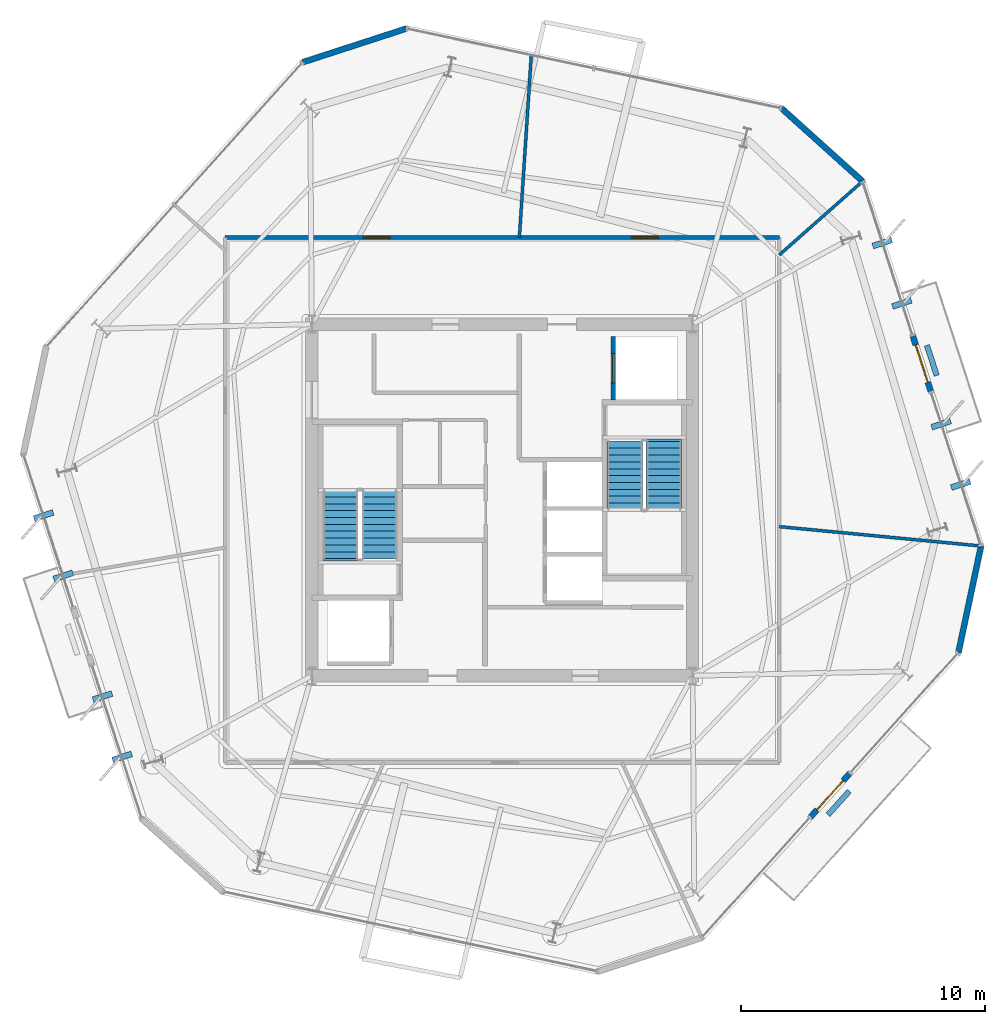
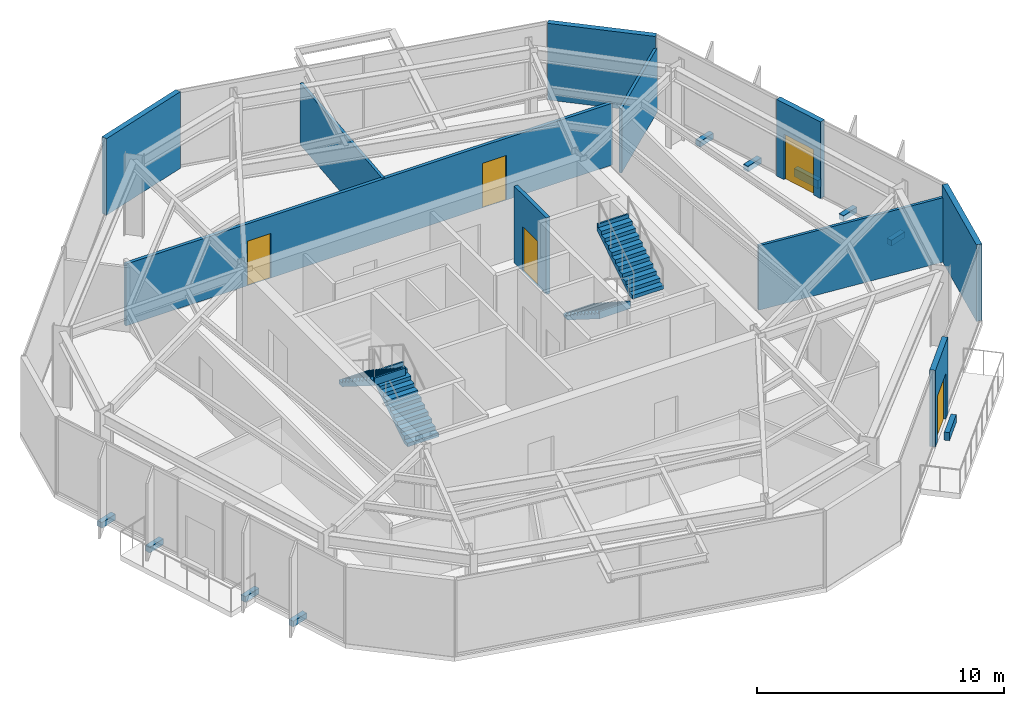
# One storey, part 8 of 11: 12 walls, 8 discrete accessories, 5 doors, 4 stair flights, 5 openings, 2 elements without a shape of their own.
"""IFC4 building model written with IfcOpenShell, lengths in metres."""

from ifc_helpers import new_model, si_unit, direction, frame, frame_2d, origin, origin_2d, place, context, subcontext, project, spatial, polyline, rectangle, outline, extrude, material, layer, layer_set, type_object, element, fill, aggregate, save


model = new_model("IFC4")

# Units and contexts
model_context = context("Model", 3, precision=1e-05, world=origin(), true_north=direction((0.0, 1.0)))
body_context = subcontext(model_context, "Body", "Model", "MODEL_VIEW")
ifc_project = project(units=[si_unit("LENGTHUNIT", "METRE"), si_unit("AREAUNIT", "SQUARE_METRE"), si_unit("VOLUMEUNIT", "CUBIC_METRE"), si_unit("PLANEANGLEUNIT", "RADIAN"), si_unit("MASSUNIT", "GRAM", prefix="KILO")], contexts=[model_context])

# Site, building, storey
site_placement = place(None, origin())
site = spatial("IfcSite", under=ifc_project, at=site_placement, CompositionType="ELEMENT")
building_placement = place(site_placement, origin())
building = spatial("IfcBuilding", under=site, at=building_placement, Name="Kranzbogen Civic Tower", CompositionType="ELEMENT")
storey_placement = place(building_placement, frame((0.0, 0.0, 216.800048828125)))
storey = spatial("IfcBuildingStorey", under=building, at=storey_placement, Name="L52", CompositionType="ELEMENT", Elevation=216.800048828125)

# Wall, openings, doors
ifc_material_1 = material(Name="Double-Stud Acoustic Gypsum Partition")
ifc_layer_1 = layer(ifc_material_1, 0.14990234375, Name="Double-Stud Acoustic Gypsum Partition")
ifc_layer_set_1 = layer_set([ifc_layer_1], Name="Double-Stud Acoustic Gypsum Partition")
wall_type_1 = type_object("IfcWallType", Name="Acoustic Corridor and Clinical Partition 150 mm", PredefinedType="PARTITIONING", material=ifc_layer_set_1)
wall_1_placement = place(storey_placement, frame((13.64990234375, 35.75, 0.0), z_axis=(0.0, 0.0, 1.0), x_axis=(1.0, 0.0, 0.0)))
wall_1 = element("IfcWall", 1, at=wall_1_placement, inside=storey, type_object=wall_type_1, Name="L52 corridor partition 01", PredefinedType="PARTITIONING", context=body_context, shape_type="SweptSolid", body=[
    extrude(rectangle(XDim=22.7001953125, YDim=0.14990234375, at=frame_2d((11.35009765625, 0.0))), origin(), (0.0, 0.0, 1.0), 3.050048828125),
])
opening_1_placement = place(wall_1_placement, frame((16.64501953125, 0.0, 0.0)))
opening_1 = element("IfcOpeningElement", 2, at=opening_1_placement, cuts=wall_1, Name="Opening D-COR60", PredefinedType="OPENING", context=body_context, shape_type="SweptSolid", body=[
    extrude(rectangle(XDim=1.10009765625, YDim=2.199951171875, at=frame_2d((0.550048828125, 1.10009765625))), frame((0.0, 0.0849609375, 0.0), z_axis=(0.0, -1.0, 0.0), x_axis=(1.0, 0.0, 0.0)), (0.0, 0.0, 1.0), 0.169921875),
])
opening_2_placement = place(wall_1_placement, frame((5.662109375, 0.0, 0.0)))
opening_2 = element("IfcOpeningElement", 3, at=opening_2_placement, cuts=wall_1, Name="Opening D-COR60", PredefinedType="OPENING", context=body_context, shape_type="SweptSolid", body=[
    extrude(rectangle(XDim=1.10009765625, YDim=2.199951171875, at=frame_2d((0.550048828125, 1.10009765625))), frame((0.0, 0.0849609375, 0.0), z_axis=(0.0, -1.0, 0.0), x_axis=(1.0, 0.0, 0.0)), (0.0, 0.0, 1.0), 0.169921875),
])
ifc_material_2 = material(Name="Oak Timber and Fire Core", Category="wood")
door_type_1 = type_object("IfcDoorType", Name="Corridor Acoustic Fire Door 1100x2200", OperationType="NOTDEFINED", PredefinedType="DOOR", material=ifc_material_2)
door_1_placement = place(opening_1_placement, origin())
door_1 = element("IfcDoor", 4, at=door_1_placement, inside=storey, type_object=door_type_1, Name="L52 Hospitality Catering Kitchen door", OperationType="SINGLE_SWING_RIGHT", OverallHeight=2.199951171875, OverallWidth=1.10009765625, PredefinedType="DOOR", context=body_context, shape_type="SweptSolid", body=[
    extrude(rectangle(XDim=1.10009765625, YDim=2.199951171875, at=frame_2d((0.550048828125, 1.10009765625))), frame((0.0, 0.02490234375, 0.0), z_axis=(0.0, -1.0, 0.0), x_axis=(1.0, 0.0, 0.0)), (0.0, 0.0, 1.0), 0.050048828125),
])
fill(opening_1, door_1)
door_2_placement = place(opening_2_placement, origin())
door_2 = element("IfcDoor", 5, at=door_2_placement, inside=storey, type_object=door_type_1, Name="L52 Refreshment Galley Pantry door", OperationType="SINGLE_SWING_LEFT", OverallHeight=2.199951171875, OverallWidth=1.10009765625, PredefinedType="DOOR", context=body_context, shape_type="SweptSolid", body=[
    extrude(rectangle(XDim=1.10009765625, YDim=2.199951171875, at=frame_2d((0.550048828125, 1.10009765625))), frame((0.0, 0.02490234375, 0.0), z_axis=(0.0, -1.0, 0.0), x_axis=(1.0, 0.0, 0.0)), (0.0, 0.0, 1.0), 0.050048828125),
])
fill(opening_2, door_2)

# Walls
ifc_material_3 = material(Name="Insulated Metal-Stud Gypsum Partition")
ifc_layer_2 = layer(ifc_material_3, 0.125, Name="Insulated Metal-Stud Gypsum Partition")
ifc_layer_set_2 = layer_set([ifc_layer_2], Name="Insulated Metal-Stud Gypsum Partition")
wall_type_2 = type_object("IfcWallType", Name="Acoustic Inter-Room Partition 125 mm", PredefinedType="PARTITIONING", material=ifc_layer_set_2)
wall_2_placement = place(storey_placement, frame((25.702880859375, 35.75, 0.0), z_axis=(0.0, 0.0, 1.0), x_axis=(0.065185232358, 0.997873181062, 0.0)))
element("IfcWall", 6, at=wall_2_placement, inside=storey, type_object=wall_type_2, Name="L52 radial room partition 01", PredefinedType="PARTITIONING", context=body_context, shape_type="SweptSolid", body=[
    extrude(rectangle(XDim=7.471923828125, YDim=0.125, at=frame_2d((3.73583984375, 0.0))), origin(), (0.0, 0.0, 1.0), 3.050048828125),
])
wall_3_placement = place(storey_placement, frame((36.35009765625, 23.908935546875, 0.0), z_axis=(0.0, 0.0, 1.0), x_axis=(0.995419121173, -0.095607390943, 0.0)))
element("IfcWall", 7, at=wall_3_placement, inside=storey, type_object=wall_type_2, Name="L52 radial room partition 06", PredefinedType="PARTITIONING", context=body_context, shape_type="SweptSolid", body=[
    extrude(rectangle(XDim=8.28369140625, YDim=0.125, at=frame_2d((4.141845703125, 0.0))), origin(), (0.0, 0.0, 1.0), 3.179931640625),
])
wall_4_placement = place(storey_placement, frame((36.35009765625, 35.0380859375, 0.0), z_axis=(0.0, 0.0, 1.0), x_axis=(0.749117810884, 0.662436793526, 0.0)))
element("IfcWall", 8, at=wall_4_placement, inside=storey, type_object=wall_type_2, Name="L52 radial room partition 07", PredefinedType="PARTITIONING", context=body_context, shape_type="SweptSolid", body=[
    extrude(rectangle(XDim=4.53466796875, YDim=0.125, at=frame_2d((2.267333984375, 0.0))), origin(), (0.0, 0.0, 1.0), 3.179931640625),
])
ifc_material_4 = material(Name="Architectural Precast Terracotta Concrete C40/50", Category="masonry")
ifc_layer_3 = layer(ifc_material_4, 0.219970703125, Name="Architectural Precast Terracotta Concrete C40/50")
ifc_layer_set_3 = layer_set([ifc_layer_3], Name="Architectural Precast Terracotta Concrete C40/50")
wall_type_3 = type_object("IfcWallType", Name="Architectural Tree Planter Kerb Wall 220 mm", PredefinedType="USERDEFINED", material=ifc_layer_set_3)
wall_5_placement = place(storey_placement, frame((42.800048828125, 30.10009765625, 0.0), z_axis=(0.0, 0.0, 1.0), x_axis=(-0.309400389293, 0.950931858287, 0.0)))
element("IfcWall", 9, at=wall_5_placement, inside=storey, type_object=wall_type_3, Name="L52 landscaped tree balcony planter L52-TB1", ObjectType="PLANTER_WALL", PredefinedType="USERDEFINED", context=body_context, shape_type="SweptSolid", body=[
    extrude(rectangle(XDim=1.299560546875, YDim=0.219970703125, at=frame_2d((0.64990234375, 0.0))), origin(), (0.0, 0.0, 1.0), 0.39990234375),
])
wall_6_placement = place(storey_placement, frame((38.347900390625, 12.10693359375, 0.0), z_axis=(0.0, 0.0, 1.0), x_axis=(0.669244796625, 0.743041992212, 0.0)))
element("IfcWall", 10, at=wall_6_placement, inside=storey, type_object=wall_type_3, Name="L52 landscaped tree balcony planter L52-ST", ObjectType="PLANTER_WALL", PredefinedType="USERDEFINED", context=body_context, shape_type="SweptSolid", body=[
    extrude(rectangle(XDim=1.300048828125, YDim=0.219970703125, at=frame_2d((0.64990234375, 0.0))), origin(), (0.0, 0.0, 1.0), 0.39990234375),
])

# Wall, opening, door
ifc_material_5 = material(Name="Gypsum Fireboard Shaftliner")
ifc_layer_4 = layer(ifc_material_5, 0.175048828125, Name="Gypsum Fireboard Shaftliner")
ifc_layer_set_4 = layer_set([ifc_layer_4], Name="Gypsum Fireboard Shaftliner")
wall_type_4 = type_object("IfcWallType", Name="Fire-Rated Lift and Service Shaft Wall 175 mm", PredefinedType="PARTITIONING", material=ifc_layer_set_4)
wall_7_placement = place(storey_placement, frame((29.550048828125, 29.10009765625, 0.0), z_axis=(0.0, 0.0, 1.0), x_axis=(0.0, 1.0, 0.0)))
wall_7 = element("IfcWall", 11, at=wall_7_placement, inside=storey, type_object=wall_type_4, Name="L52 lift FF-02 landing wall", PredefinedType="PARTITIONING", context=body_context, shape_type="SweptSolid", body=[
    extrude(rectangle(XDim=2.599853515625, YDim=0.175048828125, at=frame_2d((1.2998046875, 0.0))), origin(), (0.0, 0.0, 1.0), 3.780029296875),
])
opening_3_placement = place(wall_7_placement, frame((0.699951171875, 0.0, 0.0)))
opening_3 = element("IfcOpeningElement", 12, at=opening_3_placement, cuts=wall_7, Name="Opening LD-FF-02", PredefinedType="OPENING", context=body_context, shape_type="SweptSolid", body=[
    extrude(rectangle(XDim=1.199951171875, YDim=2.199951171875, at=frame_2d((0.60009765625, 1.10009765625))), frame((0.0, 0.09765625, 0.0), z_axis=(0.0, -1.0, 0.0), x_axis=(1.0, 0.0, 0.0)), (0.0, 0.0, 1.0), 0.195068359375),
])
ifc_material_6 = material(Name="Pale Anodised Aluminium", Category="aluminium")
door_type_2 = type_object("IfcDoorType", Name="Firefighting and Stretcher Lift Sliding Landing Door 1200x2200", OperationType="DOUBLE_DOOR_SLIDING", PredefinedType="DOOR", material=ifc_material_6)
door_3_placement = place(opening_3_placement, origin())
door_3 = element("IfcDoor", 13, at=door_3_placement, inside=storey, type_object=door_type_2, Name="L52 lift FF-02 sliding landing door", OperationType="DOUBLE_DOOR_SLIDING", OverallHeight=2.199951171875, OverallWidth=1.199951171875, PredefinedType="DOOR", context=body_context, shape_type="SweptSolid", body=[
    extrude(rectangle(XDim=1.199951171875, YDim=2.199951171875, at=frame_2d((0.60009765625, 1.10009765625))), frame((0.0, 0.02490234375, 0.0), z_axis=(0.0, -1.0, 0.0), x_axis=(1.0, 0.0, 0.0)), (0.0, 0.0, 1.0), 0.050048828125),
])
fill(opening_3, door_3)

# Wall
ifc_layer_5 = layer(ifc_material_6, 0.239990234375, Name="Pale Anodised Aluminium")
ifc_layer_set_5 = layer_set([ifc_layer_5], Name="Pale Anodised Aluminium")
wall_type_5 = type_object("IfcWallType", Name="Insulated Aluminium Facade Portal Wall 240 mm", PredefinedType="STANDARD", material=ifc_layer_set_5)
wall_8_placement = place(storey_placement, frame((21.074951171875, 44.31005859375, 0.0), z_axis=(0.0, 0.0, 1.0), x_axis=(-0.95104370386, -0.309056424215, 0.0)))
element("IfcWall", 14, at=wall_8_placement, inside=storey, type_object=wall_type_5, Name="L52 chamfered corner facade spandrel 1", PredefinedType="STANDARD", context=body_context, shape_type="SweptSolid", body=[
    extrude(rectangle(XDim=4.46875, YDim=0.239990234375, at=frame_2d((2.234375, 0.0))), origin(), (0.0, 0.0, 1.0), 3.780029296875),
])

# Wall, opening, door
wall_9_placement = place(storey_placement, frame((37.6279296875, 12.01611328125, 0.0), z_axis=(0.0, 0.0, 1.0), x_axis=(0.668835439273, 0.743410489012, 0.0)))
wall_9 = element("IfcWall", 15, at=wall_9_placement, inside=storey, type_object=wall_type_5, Name="L52 exterior entrance portal wall 1", PredefinedType="STANDARD", context=body_context, shape_type="SweptSolid", body=[
    extrude(rectangle(XDim=2.399658203125, YDim=0.239990234375, at=frame_2d((1.19970703125, 0.0))), origin(), (0.0, 0.0, 1.0), 3.780029296875),
])
opening_4_placement = place(wall_9_placement, frame((0.39990234375, 0.0, 0.0)))
opening_4 = element("IfcOpeningElement", 16, at=opening_4_placement, cuts=wall_9, Name="Opening D-TER", PredefinedType="OPENING", context=body_context, shape_type="SweptSolid", body=[
    extrude(rectangle(XDim=1.60009765625, YDim=2.25, at=frame_2d((0.800048828125, 1.125))), frame((0.0, 0.1298828125, 0.0), z_axis=(0.0, -1.0, 0.0), x_axis=(1.0, 0.0, 0.0)), (0.0, 0.0, 1.0), 0.260009765625),
])
ifc_material_7 = material(Name="Anodised Bronze and Triple Glass", Category="glass")
door_type_3 = type_object("IfcDoorType", Name="Glazed Terrace and Balcony Double Door 1600x2250", OperationType="DOUBLE_DOOR_SINGLE_SWING", PredefinedType="DOOR", material=ifc_material_7)
door_4_placement = place(opening_4_placement, frame((1.60009765625, 0.0, 0.0), z_axis=(0.0, 0.0, 1.0), x_axis=(-1.0, 0.0, 0.0)))
door_4 = element("IfcDoor", 17, at=door_4_placement, inside=storey, type_object=door_type_3, Name="L52 spiral terrace access door L52-ST", OperationType="DOUBLE_DOOR_SINGLE_SWING", OverallHeight=2.25, OverallWidth=1.60009765625, PredefinedType="DOOR", context=body_context, shape_type="SweptSolid", body=[
    extrude(rectangle(XDim=1.60009765625, YDim=2.25, at=frame_2d((0.800048828125, 1.125))), frame((0.0, 0.02490234375, 0.0), z_axis=(0.0, -1.0, 0.0), x_axis=(1.0, 0.0, 0.0)), (0.0, 0.0, 1.0), 0.050048828125),
])
fill(opening_4, door_4)

# Wall
wall_10_placement = place(storey_placement, frame((43.68505859375, 18.743896484375, 0.0), z_axis=(0.0, 0.0, 1.0), x_axis=(0.20787966491, 0.978154407503, 0.0)))
element("IfcWall", 18, at=wall_10_placement, inside=storey, type_object=wall_type_5, Name="L52 chamfered corner facade spandrel 5", PredefinedType="STANDARD", context=body_context, shape_type="SweptSolid", body=[
    extrude(rectangle(XDim=4.46875, YDim=0.239990234375, at=frame_2d((2.234375, 0.0))), origin(), (0.0, 0.0, 1.0), 3.780029296875),
])

# Wall, opening, door
wall_11_placement = place(storey_placement, frame((42.55810546875, 29.443115234375, 0.0), z_axis=(0.0, 0.0, 1.0), x_axis=(-0.309171157328, 0.951006411901, 0.0)))
wall_11 = element("IfcWall", 19, at=wall_11_placement, inside=storey, type_object=wall_type_5, Name="L52 exterior entrance portal wall 1", PredefinedType="STANDARD", context=body_context, shape_type="SweptSolid", body=[
    extrude(rectangle(XDim=2.400634765625, YDim=0.239990234375, at=frame_2d((1.2001953125, 0.0))), origin(), (0.0, 0.0, 1.0), 3.780029296875),
])
opening_5_placement = place(wall_11_placement, frame((0.39990234375, 0.0, 0.0)))
opening_5 = element("IfcOpeningElement", 20, at=opening_5_placement, cuts=wall_11, Name="Opening D-TER", PredefinedType="OPENING", context=body_context, shape_type="SweptSolid", body=[
    extrude(rectangle(XDim=1.60009765625, YDim=2.25, at=frame_2d((0.800048828125, 1.125))), frame((0.0, 0.1298828125, 0.0), z_axis=(0.0, -1.0, 0.0), x_axis=(1.0, 0.0, 0.0)), (0.0, 0.0, 1.0), 0.260009765625),
])
door_5_placement = place(opening_5_placement, frame((1.60009765625, 0.0, 0.0), z_axis=(0.0, 0.0, 1.0), x_axis=(-1.0, 0.0, 0.0)))
door_5 = element("IfcDoor", 21, at=door_5_placement, inside=storey, type_object=door_type_3, Name="L52 tree balcony access door L52-TB1", OperationType="DOUBLE_DOOR_SINGLE_SWING", OverallHeight=2.25, OverallWidth=1.60009765625, PredefinedType="DOOR", context=body_context, shape_type="SweptSolid", body=[
    extrude(rectangle(XDim=1.60009765625, YDim=2.25, at=frame_2d((0.800048828125, 1.125))), frame((0.0, 0.02490234375, 0.0), z_axis=(0.0, -1.0, 0.0), x_axis=(1.0, 0.0, 0.0)), (0.0, 0.0, 1.0), 0.050048828125),
])
fill(opening_5, door_5)

# Wall
wall_12_placement = place(storey_placement, frame((39.760009765625, 38.053955078125, 0.0), z_axis=(0.0, 0.0, 1.0), x_axis=(-0.74307946371, 0.669203190827, 0.0)))
element("IfcWall", 22, at=wall_12_placement, inside=storey, type_object=wall_type_5, Name="L52 chamfered corner facade spandrel 6", PredefinedType="STANDARD", context=body_context, shape_type="SweptSolid", body=[
    extrude(rectangle(XDim=4.468017578125, YDim=0.239990234375, at=frame_2d((2.23388671875, 0.0))), origin(), (0.0, 0.0, 1.0), 3.780029296875),
])

# Stair, stair flights
ifc_material_8 = material(Name="Precast concrete C40/50", Category="concrete")
stair_type_1 = type_object("IfcStairType", Name="Tower Core Pressurized Dogleg Stair 1450", PredefinedType="HALF_TURN_STAIR", material=ifc_material_8)
stair_1_placement = place(storey_placement, origin())
stair_1 = element("IfcStair", 23, at=stair_1_placement, inside=storey, type_object=stair_type_1, Name="L52 Tower Core Pressurized Stair 1", PredefinedType="HALF_TURN_STAIR")
stair_flight_type = type_object("IfcStairFlightType", Name="Precast Concrete Stair Flight R180", PredefinedType="STRAIGHT", material=ifc_material_8)
stair_flight_1_placement = place(storey_placement, frame((19.97509765625, 22.60009765625, 0.0), z_axis=(0.0, 0.0, 1.0), x_axis=(0.0, 1.0, 0.0)))
stair_flight_1 = element("IfcStairFlight", 24, at=stair_flight_1_placement, type_object=stair_flight_type, Name="ST-T1 flight 1", NumberOfRisers=11, NumberOfTreads=10, PredefinedType="STRAIGHT", RiserHeight=0.181818182, TreadLength=0.28, context=body_context, shape_type="SweptSolid", body=[
    extrude(outline(polyline([(0.0, 0.0), (0.0, 0.181884765625), (0.280029296875, 0.181884765625), (0.280029296875, 0.363525390625), (0.56005859375, 0.363525390625), (0.56005859375, 0.54541015625), (0.840087890625, 0.54541015625), (0.840087890625, 0.727294921875), (1.1201171875, 0.727294921875), (1.1201171875, 0.9091796875), (1.39990234375, 0.9091796875), (1.39990234375, 1.0908203125), (1.679931640625, 1.0908203125), (1.679931640625, 1.272705078125), (1.9599609375, 1.272705078125), (1.9599609375, 1.45458984375), (2.239990234375, 1.45458984375), (2.239990234375, 1.636474609375), (2.52001953125, 1.636474609375), (2.52001953125, 1.818115234375), (2.800048828125, 1.818115234375), (2.800048828125, 2.0), (2.880126953125, 2.0), (2.880126953125, 1.639404296875), (0.275146484375, 0.0), (0.0, 0.0)])), frame((0.0, 0.72509765625, 0.0), z_axis=(0.0, -1.0, 0.0), x_axis=(1.0, 0.0, 0.0)), (0.0, 0.0, 1.0), 1.449951171875),
])
stair_flight_2_placement = place(storey_placement, frame((18.375, 25.39990234375, 2.0), z_axis=(0.0, 0.0, 1.0), x_axis=(0.0, -1.0, 0.0)))
stair_flight_2 = element("IfcStairFlight", 25, at=stair_flight_2_placement, type_object=stair_flight_type, Name="ST-T1 flight 2", NumberOfRisers=11, NumberOfTreads=10, PredefinedType="STRAIGHT", RiserHeight=0.181818182, TreadLength=0.28, context=body_context, shape_type="SweptSolid", body=[
    extrude(outline(polyline([(0.0, 0.0), (0.0, 0.181884765625), (0.280029296875, 0.181884765625), (0.280029296875, 0.363525390625), (0.56005859375, 0.363525390625), (0.56005859375, 0.54541015625), (0.840087890625, 0.54541015625), (0.840087890625, 0.727294921875), (1.1201171875, 0.727294921875), (1.1201171875, 0.9091796875), (1.39990234375, 0.9091796875), (1.39990234375, 1.0908203125), (1.679931640625, 1.0908203125), (1.679931640625, 1.272705078125), (1.9599609375, 1.272705078125), (1.9599609375, 1.45458984375), (2.239990234375, 1.45458984375), (2.239990234375, 1.636474609375), (2.52001953125, 1.636474609375), (2.52001953125, 1.818115234375), (2.800048828125, 1.818115234375), (2.800048828125, 2.0), (2.880126953125, 2.0), (2.880126953125, 1.639404296875), (0.275146484375, 0.0), (0.0, 0.0)])), frame((0.0, 0.72509765625, 0.0), z_axis=(0.0, -1.0, 0.0), x_axis=(1.0, 0.0, 0.0)), (0.0, 0.0, 1.0), 1.449951171875),
])
aggregate(stair_1, [stair_flight_1, stair_flight_2])

stair_type_2 = type_object("IfcStairType", Name="Tower Core Secondary Dogleg Stair 1450", PredefinedType="HALF_TURN_STAIR", material=ifc_material_8)
stair_2_placement = place(storey_placement, origin())
stair_2 = element("IfcStair", 26, at=stair_2_placement, inside=storey, type_object=stair_type_2, Name="L52 Tower Core Pressurized Stair 2", PredefinedType="HALF_TURN_STAIR")
stair_flight_3_placement = place(storey_placement, frame((30.02490234375, 27.39990234375, 0.0), z_axis=(0.0, 0.0, 1.0), x_axis=(0.0, -1.0, 0.0)))
stair_flight_3 = element("IfcStairFlight", 27, at=stair_flight_3_placement, type_object=stair_flight_type, Name="ST-T2 flight 1", NumberOfRisers=11, NumberOfTreads=10, PredefinedType="STRAIGHT", RiserHeight=0.181818182, TreadLength=0.28, context=body_context, shape_type="SweptSolid", body=[
    extrude(outline(polyline([(0.0, 0.0), (0.0, 0.181884765625), (0.280029296875, 0.181884765625), (0.280029296875, 0.363525390625), (0.56005859375, 0.363525390625), (0.56005859375, 0.54541015625), (0.840087890625, 0.54541015625), (0.840087890625, 0.727294921875), (1.1201171875, 0.727294921875), (1.1201171875, 0.9091796875), (1.39990234375, 0.9091796875), (1.39990234375, 1.0908203125), (1.679931640625, 1.0908203125), (1.679931640625, 1.272705078125), (1.9599609375, 1.272705078125), (1.9599609375, 1.45458984375), (2.239990234375, 1.45458984375), (2.239990234375, 1.636474609375), (2.52001953125, 1.636474609375), (2.52001953125, 1.818115234375), (2.800048828125, 1.818115234375), (2.800048828125, 2.0), (2.880126953125, 2.0), (2.880126953125, 1.639404296875), (0.275146484375, 0.0), (0.0, 0.0)])), frame((0.0, 0.72509765625, 0.0), z_axis=(0.0, -1.0, 0.0), x_axis=(1.0, 0.0, 0.0)), (0.0, 0.0, 1.0), 1.449951171875),
])
stair_flight_4_placement = place(storey_placement, frame((31.625, 24.60009765625, 2.0), z_axis=(0.0, 0.0, 1.0), x_axis=(0.0, 1.0, 0.0)))
stair_flight_4 = element("IfcStairFlight", 28, at=stair_flight_4_placement, type_object=stair_flight_type, Name="ST-T2 flight 2", NumberOfRisers=11, NumberOfTreads=10, PredefinedType="STRAIGHT", RiserHeight=0.181818182, TreadLength=0.28, context=body_context, shape_type="SweptSolid", body=[
    extrude(outline(polyline([(0.0, 0.0), (0.0, 0.181884765625), (0.280029296875, 0.181884765625), (0.280029296875, 0.363525390625), (0.56005859375, 0.363525390625), (0.56005859375, 0.54541015625), (0.840087890625, 0.54541015625), (0.840087890625, 0.727294921875), (1.1201171875, 0.727294921875), (1.1201171875, 0.9091796875), (1.39990234375, 0.9091796875), (1.39990234375, 1.0908203125), (1.679931640625, 1.0908203125), (1.679931640625, 1.272705078125), (1.9599609375, 1.272705078125), (1.9599609375, 1.45458984375), (2.239990234375, 1.45458984375), (2.239990234375, 1.636474609375), (2.52001953125, 1.636474609375), (2.52001953125, 1.818115234375), (2.800048828125, 1.818115234375), (2.800048828125, 2.0), (2.880126953125, 2.0), (2.880126953125, 1.639404296875), (0.275146484375, 0.0), (0.0, 0.0)])), frame((0.0, 0.72509765625, 0.0), z_axis=(0.0, -1.0, 0.0), x_axis=(1.0, 0.0, 0.0)), (0.0, 0.0, 1.0), 1.449951171875),
])
aggregate(stair_2, [stair_flight_3, stair_flight_4])

# Discrete accessories
ifc_material_9 = material(Name="Steel S355", Category="steel")
discrete_accessory_type = type_object("IfcDiscreteAccessoryType", Name="Structural Curtain-Wall Fin Support Bracket", PredefinedType="BRACKET", material=ifc_material_9)
for number, where, z_axis, x_axis, name in (
    (29, (6.217041015625, 24.364013671875, -0.25), (0.0, 0.0, 1.0), (-0.951056516295, -0.309016994375, 0.0), "L52 facade fin support bracket F3-1"),
    (30, (7.02099609375, 21.89208984375, -0.25), (0.0, 0.0, 1.0), (-0.951056516295, -0.309016994375, 0.0), "L52 facade fin support bracket F3-2"),
    (31, (8.6279296875, 16.946044921875, -0.25), (0.0, 0.0, 1.0), (-0.951056516295, -0.309016994375, 0.0), "L52 facade fin support bracket F3-4"),
    (32, (9.430908203125, 14.472900390625, -0.25), (0.0, 0.0, 1.0), (-0.951056516295, -0.309016994375, 0.0), "L52 facade fin support bracket F3-5"),
    (33, (43.782958984375, 25.635986328125, -0.25), (0.0, 0.0, 1.0), (0.951056516295, 0.309016994375, 0.0), "L52 facade fin support bracket F6-1"),
    (34, (42.97900390625, 28.10791015625, -0.25), (0.0, 0.0, 1.0), (0.951056516295, 0.309016994375, 0.0), "L52 facade fin support bracket F6-2"),
    (35, (41.3720703125, 33.053955078125, -0.25), (0.0, 0.0, 1.0), (0.951056516295, 0.309016994375, 0.0), "L52 facade fin support bracket F6-4"),
    (36, (40.569091796875, 35.527099609375, -0.25), (0.0, 0.0, 1.0), (0.951056516295, 0.309016994375, 0.0), "L52 facade fin support bracket F6-5"),
):
    element("IfcDiscreteAccessory", number, at=place(storey_placement, frame(where, z_axis=z_axis, x_axis=x_axis)), inside=storey, type_object=discrete_accessory_type, Name=name, PredefinedType="BRACKET", context=body_context, shape_type="SweptSolid", body=[
        extrude(rectangle(XDim=0.820068359375, YDim=0.239990234375, at=origin_2d()), origin(), (0.0, 0.0, 1.0), 0.280029296875),
    ])

save(model, "model.ifc")
